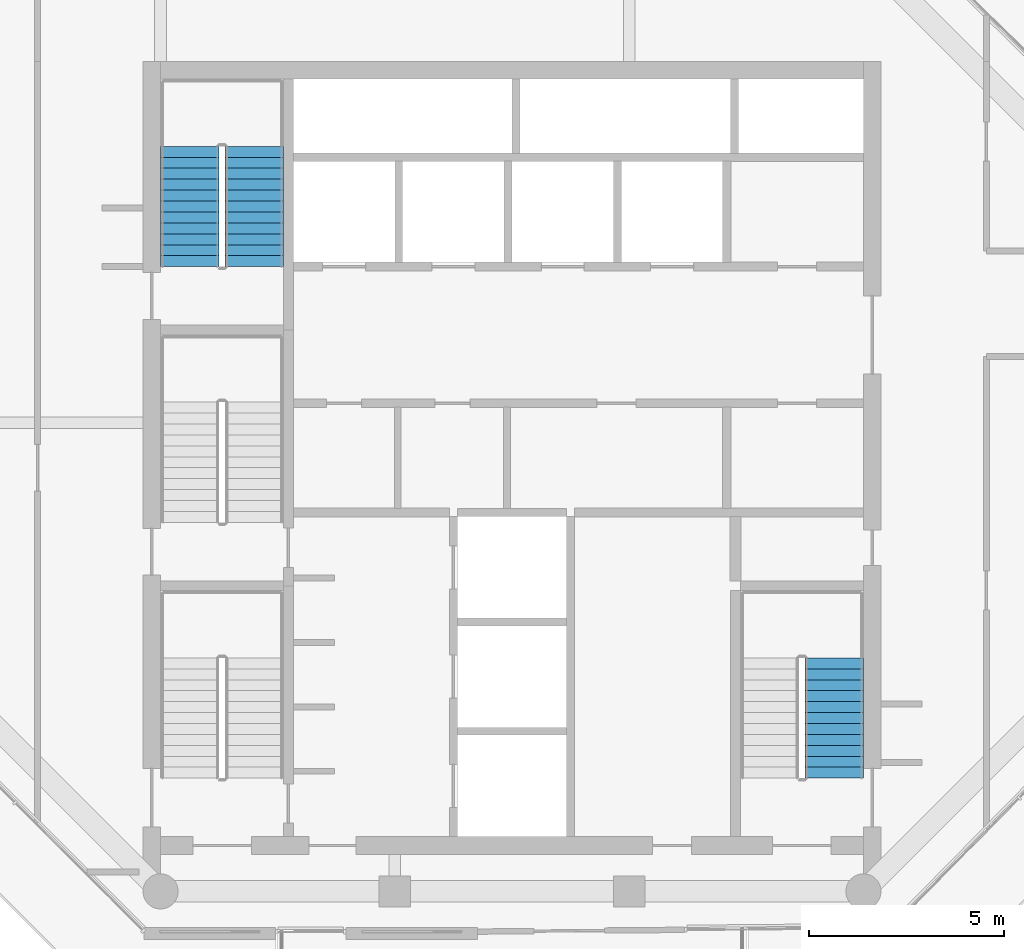
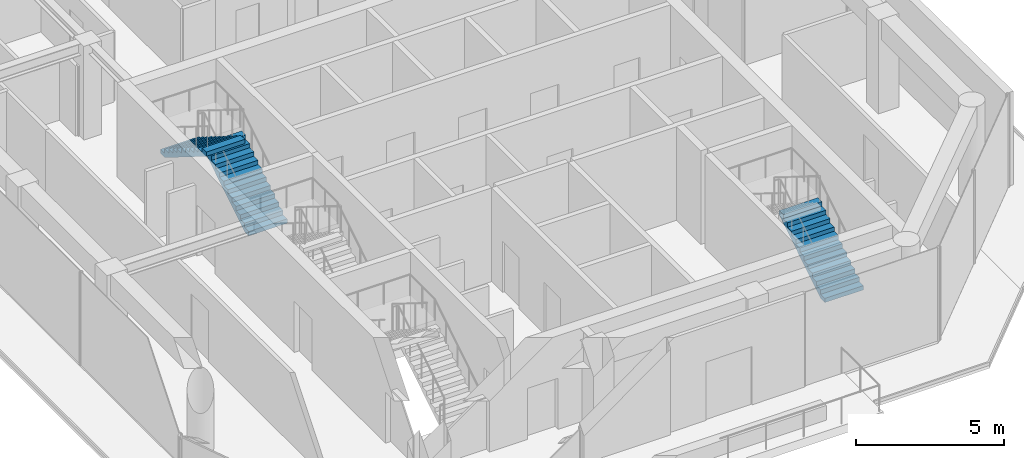
# One storey, part 17 of 19: 3 stair flights, 2 elements without a shape of their own.
"""IFC4 building model written with IfcOpenShell, lengths in metres."""

from ifc_helpers import new_model, si_unit, direction, frame, origin, place, context, subcontext, project, spatial, polyline, outline, extrude, material, type_object, element, aggregate, save


model = new_model("IFC4")

# Units and contexts
model_context = context("Model", 3, precision=1e-05, world=origin(), true_north=direction((0.0, 1.0)))
body_context = subcontext(model_context, "Body", "Model", "MODEL_VIEW")
ifc_project = project(units=[si_unit("LENGTHUNIT", "METRE"), si_unit("AREAUNIT", "SQUARE_METRE"), si_unit("VOLUMEUNIT", "CUBIC_METRE"), si_unit("PLANEANGLEUNIT", "RADIAN"), si_unit("MASSUNIT", "GRAM", prefix="KILO")], contexts=[model_context])

# Site, building, storey
site_placement = place(None, origin())
site = spatial("IfcSite", under=ifc_project, at=site_placement, CompositionType="ELEMENT")
building_placement = place(site_placement, origin())
building = spatial("IfcBuilding", under=site, at=building_placement, Name="Welwitschia Terrace Campus", CompositionType="ELEMENT")
storey_placement = place(building_placement, frame((0.0, 0.0, 226.39990234375)))
storey = spatial("IfcBuildingStorey", under=building, at=storey_placement, Name="L50", CompositionType="ELEMENT", Elevation=226.39990234375)

# Stair, stair flights
ifc_material_1 = material(Name="Concrete C40/50", Category="concrete")
stair_type = type_object("IfcStairType", Name="Stair 24R 175 W1500", PredefinedType="HALF_TURN_STAIR", material=ifc_material_1)
stair_1_placement = place(storey_placement, origin())
stair_1 = element("IfcStair", 1, at=stair_1_placement, inside=storey, type_object=stair_type, Name="L50 Exit stair S4", PredefinedType="HALF_TURN_STAIR")
ifc_material_2 = material(Name="Concrete C40/50", Category="concrete")
stair_flight_type = type_object("IfcStairFlightType", Name="Stair flight 24R 175 W1500", PredefinedType="STRAIGHT", material=ifc_material_2)
stair_flight_1_placement = place(storey_placement, frame((8.39990234375, 20.0, 0.0), z_axis=(0.0, 0.0, 1.0), x_axis=(0.0, 1.0, 0.0)))
stair_flight_1 = element("IfcStairFlight", 2, at=stair_flight_1_placement, type_object=stair_flight_type, Name="S4 flight 1", NumberOfRisers=12, NumberOfTreads=11, PredefinedType="STRAIGHT", RiserHeight=0.175, TreadLength=0.28, context=body_context, shape_type="SweptSolid", body=[
    extrude(outline(polyline([(0.0, 0.0), (0.0, 0.175048828125), (0.280029296875, 0.175048828125), (0.280029296875, 0.35009765625), (0.56005859375, 0.35009765625), (0.56005859375, 0.52490234375), (0.840087890625, 0.52490234375), (0.840087890625, 0.699951171875), (1.1201171875, 0.699951171875), (1.1201171875, 0.875), (1.39990234375, 0.875), (1.39990234375, 1.050048828125), (1.679931640625, 1.050048828125), (1.679931640625, 1.22509765625), (1.9599609375, 1.22509765625), (1.9599609375, 1.39990234375), (2.239990234375, 1.39990234375), (2.239990234375, 1.574951171875), (2.52001953125, 1.574951171875), (2.52001953125, 1.75), (2.800048828125, 1.75), (2.800048828125, 1.925048828125), (3.080078125, 1.925048828125), (3.080078125, 2.10009765625), (3.080078125, 1.748291015625), (0.28271484375, 0.0), (0.0, 0.0)])), frame((0.0, 0.75, 0.0), z_axis=(0.0, -1.0, 0.0), x_axis=(1.0, 0.0, 0.0)), (0.0, 0.0, 1.0), 1.5),
])
stair_flight_2_placement = place(storey_placement, frame((6.75, 23.080078125, 2.10009765625), z_axis=(0.0, 0.0, 1.0), x_axis=(0.0, -1.0, 0.0)))
stair_flight_2 = element("IfcStairFlight", 3, at=stair_flight_2_placement, type_object=stair_flight_type, Name="S4 flight 2", NumberOfRisers=12, NumberOfTreads=11, PredefinedType="STRAIGHT", RiserHeight=0.175, TreadLength=0.28, context=body_context, shape_type="SweptSolid", body=[
    extrude(outline(polyline([(0.0, 0.0), (0.0, 0.175048828125), (0.280029296875, 0.175048828125), (0.280029296875, 0.35009765625), (0.56005859375, 0.35009765625), (0.56005859375, 0.52490234375), (0.840087890625, 0.52490234375), (0.840087890625, 0.699951171875), (1.1201171875, 0.699951171875), (1.1201171875, 0.875), (1.39990234375, 0.875), (1.39990234375, 1.050048828125), (1.679931640625, 1.050048828125), (1.679931640625, 1.22509765625), (1.9599609375, 1.22509765625), (1.9599609375, 1.39990234375), (2.239990234375, 1.39990234375), (2.239990234375, 1.574951171875), (2.52001953125, 1.574951171875), (2.52001953125, 1.75), (2.800048828125, 1.75), (2.800048828125, 1.925048828125), (3.080078125, 1.925048828125), (3.080078125, 2.10009765625), (3.080078125, 1.748291015625), (0.28271484375, 0.0), (0.0, 0.0)])), frame((0.0, 0.75, 0.0), z_axis=(0.0, -1.0, 0.0), x_axis=(1.0, 0.0, 0.0)), (0.0, 0.0, 1.0), 1.5),
])
aggregate(stair_1, [stair_flight_1, stair_flight_2])

# Stair, stair flight
stair_2_placement = place(storey_placement, origin())
stair_2 = element("IfcStair", 4, at=stair_2_placement, inside=storey, type_object=stair_type, Name="L50 Exit stair S2", PredefinedType="HALF_TURN_STAIR")
stair_flight_3_placement = place(storey_placement, frame((23.25, 6.89990234375, 0.0), z_axis=(0.0, 0.0, 1.0), x_axis=(0.0, 1.0, 0.0)))
stair_flight_3 = element("IfcStairFlight", 5, at=stair_flight_3_placement, type_object=stair_flight_type, Name="S2 flight 1", NumberOfRisers=12, NumberOfTreads=11, PredefinedType="STRAIGHT", RiserHeight=0.175, TreadLength=0.28, context=body_context, shape_type="SweptSolid", body=[
    extrude(outline(polyline([(0.0, 0.0), (0.0, 0.175048828125), (0.280029296875, 0.175048828125), (0.280029296875, 0.35009765625), (0.56005859375, 0.35009765625), (0.56005859375, 0.52490234375), (0.840087890625, 0.52490234375), (0.840087890625, 0.699951171875), (1.1201171875, 0.699951171875), (1.1201171875, 0.875), (1.39990234375, 0.875), (1.39990234375, 1.050048828125), (1.679931640625, 1.050048828125), (1.679931640625, 1.22509765625), (1.9599609375, 1.22509765625), (1.9599609375, 1.39990234375), (2.239990234375, 1.39990234375), (2.239990234375, 1.574951171875), (2.52001953125, 1.574951171875), (2.52001953125, 1.75), (2.800048828125, 1.75), (2.800048828125, 1.925048828125), (3.080078125, 1.925048828125), (3.080078125, 2.10009765625), (3.080078125, 1.748291015625), (0.28271484375, 0.0), (0.0, 0.0)])), frame((0.0, 0.75, 0.0), z_axis=(0.0, -1.0, 0.0), x_axis=(1.0, 0.0, 0.0)), (0.0, 0.0, 1.0), 1.5),
])
aggregate(stair_2, [stair_flight_3])

save(model, "model.ifc")
